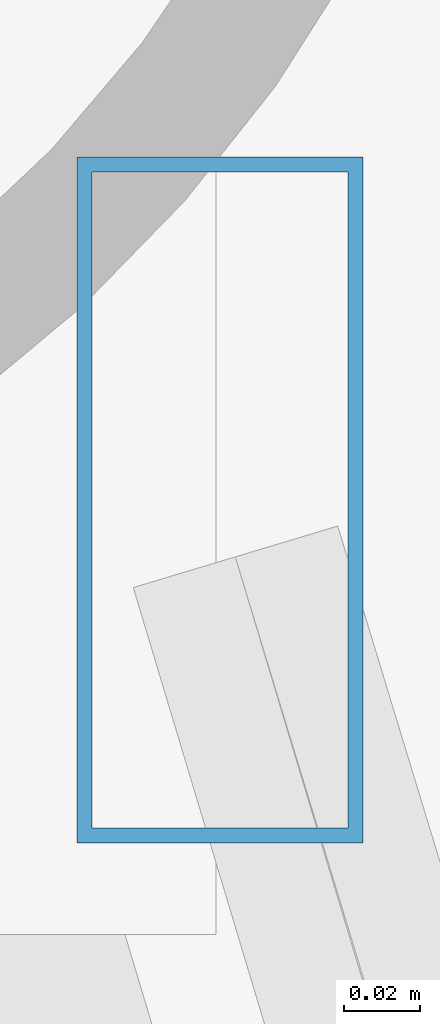
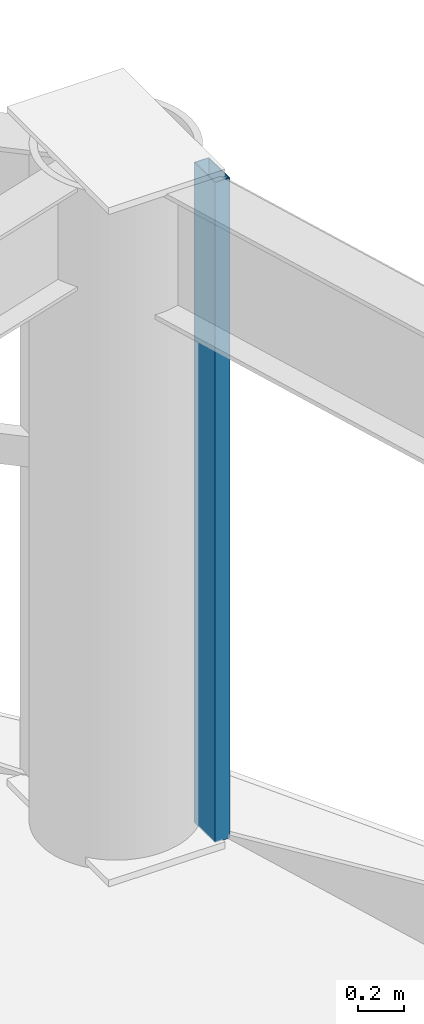
# One storey, part 22 of 32: 1 member, 1 element without a shape of its own.
"""IFC4 building model written with IfcOpenShell, lengths in metres."""

from ifc_helpers import new_model, si_unit, direction, frame, origin, origin_2d, place, context, subcontext, project, spatial, hollow_rectangle, extrude, material, layer, layer_set, material_profile, profile_set, type_object, element, aggregate, save


model = new_model("IFC4")

# Units and contexts
model_context = context("Model", 3, precision=1e-05, world=origin(), true_north=direction((0.0, 1.0)))
body_context = subcontext(model_context, "Body", "Model", "MODEL_VIEW")
ifc_project = project(units=[si_unit("LENGTHUNIT", "METRE"), si_unit("AREAUNIT", "SQUARE_METRE"), si_unit("VOLUMEUNIT", "CUBIC_METRE"), si_unit("PLANEANGLEUNIT", "RADIAN"), si_unit("MASSUNIT", "GRAM", prefix="KILO")], contexts=[model_context])

# Site, building, storey
site_placement = place(None, origin())
site = spatial("IfcSite", under=ifc_project, at=site_placement, CompositionType="ELEMENT")
building_placement = place(site_placement, origin())
building = spatial("IfcBuilding", under=site, at=building_placement, Name="Vantalir Tower", CompositionType="ELEMENT")
storey_placement = place(building_placement, frame((0.0, 0.0, 100.949951171875)))
storey = spatial("IfcBuildingStorey", under=building, at=storey_placement, Name="L24", CompositionType="ELEMENT", Elevation=100.949951171875)

# Curtain wall, member
ifc_material_1 = material(Name="Champagne-silver PVDF aluminium and double-silver Low-E glass", Category="aluminium")
ifc_layer = layer(ifc_material_1, 0.199951171875)
ifc_layer_set = layer_set([ifc_layer], Name="Champagne-silver PVDF aluminium and double-silver Low-E glass")
curtain_wall_type = type_object("IfcCurtainWallType", Name="CW-DIAMOND-Z2", PredefinedType="USERDEFINED", material=ifc_layer_set)
curtain_wall_placement = place(storey_placement, origin())
curtain_wall = element("IfcCurtainWall", 1, at=curtain_wall_placement, inside=storey, type_object=curtain_wall_type, Name="L24 Quilted Pyramid-Diamond Curtain Wall S01", ObjectType="UNITISED CURTAIN WALL", PredefinedType="USERDEFINED")
ifc_material_2 = material(Name="Champagne-silver PVDF aluminium 6063-T6", Category="aluminium")
ifc_material_profile = material_profile(ifc_material_2, hollow_rectangle(XDim=0.074951171875, YDim=0.179931640625, WallThickness=0.00390625, at=origin_2d()), Name="Champagne-silver PVDF aluminium 6063-T6")
ifc_profile_set = profile_set([ifc_material_profile], Name="Champagne-silver PVDF aluminium 6063-T6")
member_type = type_object("IfcMemberType", Name="CWM-180x75", PredefinedType="MULLION", material=ifc_profile_set)
member_placement = place(storey_placement, frame((53.950927734375, 36.068115234375, 0.045166015625), z_axis=(0.0, 0.0, 1.0), x_axis=(1.0, 0.0, 0.0)))
member = element("IfcMember", 2, at=member_placement, type_object=member_type, Name="CW-L24-S01 Mullion 2", PredefinedType="MULLION", context=body_context, shape_type="SweptSolid", body=[
    extrude(hollow_rectangle(XDim=0.074951171875, YDim=0.179931640625, WallThickness=0.00390625, at=origin_2d()), origin(), (0.0, 0.0, 1.0), 3.47998046875),
])
aggregate(curtain_wall, [member])

save(model, "model.ifc")
